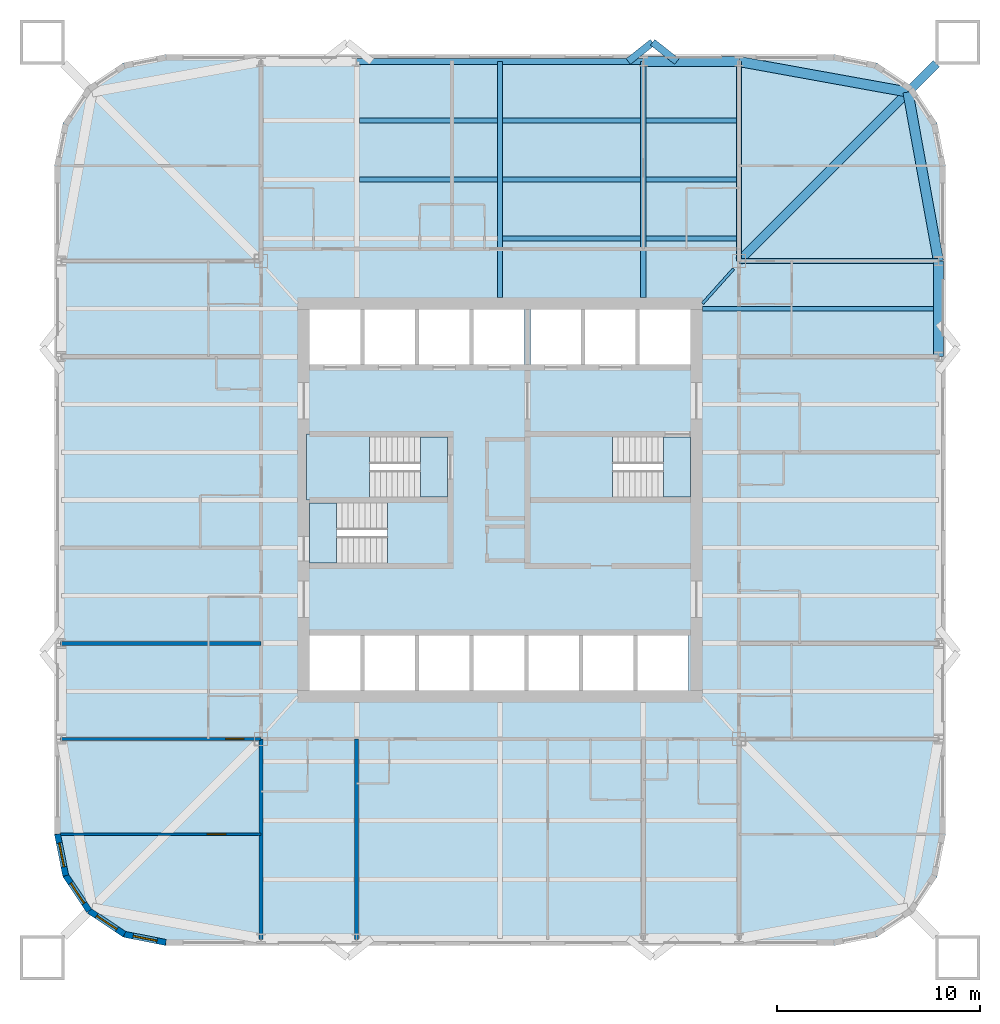
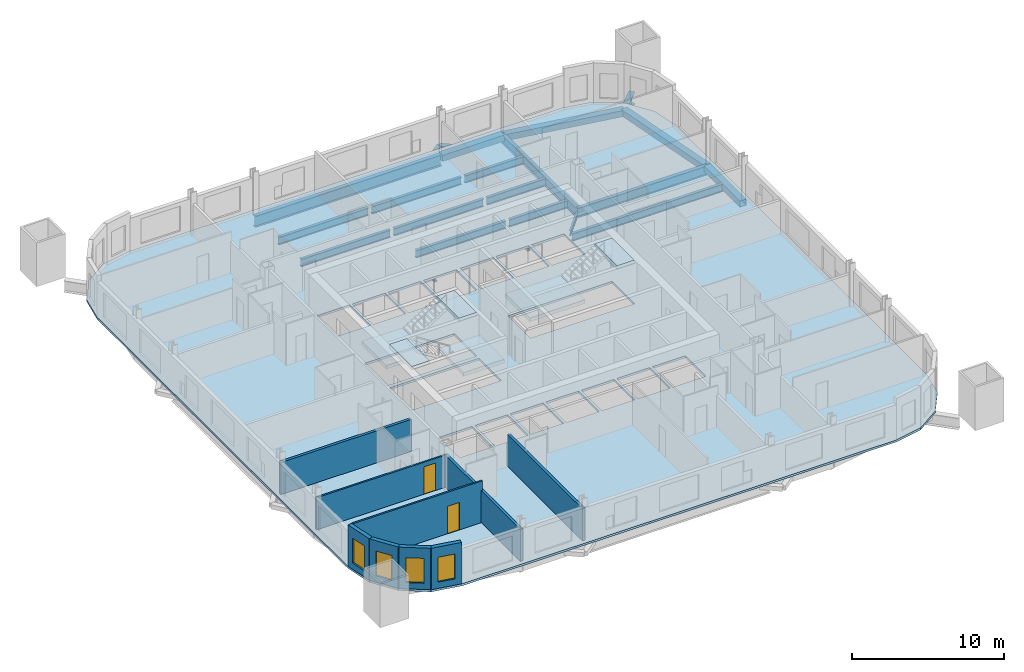
# One storey, part 2 of 10: 22 beams, 9 walls, 7 slabs, 4 windows, 2 doors, 6 openings, 3 elements without a shape of their own.
"""IFC4 building model written with IfcOpenShell, lengths in metres."""

from ifc_helpers import new_model, si_unit, direction, frame, frame_2d, origin, origin_2d, place, context, subcontext, project, spatial, polyline, rectangle, hollow_rectangle, i_section, outline, extrude, material, layer, layer_set, material_profile, profile_set, type_object, element, fill, aggregate, save


model = new_model("IFC4")

# Units and contexts
model_context = context("Model", 3, precision=1e-05, world=origin(), true_north=direction((0.0, 1.0)))
body_context = subcontext(model_context, "Body", "Model", "MODEL_VIEW")
ifc_project = project(units=[si_unit("LENGTHUNIT", "METRE"), si_unit("AREAUNIT", "SQUARE_METRE"), si_unit("VOLUMEUNIT", "CUBIC_METRE"), si_unit("PLANEANGLEUNIT", "RADIAN"), si_unit("MASSUNIT", "GRAM", prefix="KILO")], contexts=[model_context])

# Site, building, storey
site_placement = place(None, origin())
site = spatial("IfcSite", under=ifc_project, at=site_placement, CompositionType="ELEMENT")
building_placement = place(site_placement, origin())
building = spatial("IfcBuilding", under=site, at=building_placement, Name="Turquesa Mirador Hotel Tower", CompositionType="ELEMENT")
storey_placement = place(building_placement, frame((0.0, 0.0, 46.0)))
storey = spatial("IfcBuildingStorey", under=building, at=storey_placement, Name="L11", CompositionType="ELEMENT", Elevation=46.0)

# Beams
ifc_material_1 = material(Name="Steel ASTM A572 Grade 50", Category="steel")
ifc_material_profile_1 = material_profile(ifc_material_1, hollow_rectangle(XDim=0.5, YDim=0.5, WallThickness=0.01611328125, at=origin_2d()), Name="BOX500X500X16")
ifc_profile_set_1 = profile_set([ifc_material_profile_1], Name="Steel ASTM A572 Grade 50")
beam_type_1 = type_object("IfcBeamType", Name="BEAM BOX500X500X16", PredefinedType="BEAM", material=ifc_profile_set_1)
for number, where, z_axis, x_axis, name in (
    (1, (62.080078125, 66.64990234375, -0.419921875), (1.0, 0.0, 0.0), (0.0, 1.0, 0.0), "EB-L11-N-R"),
    (2, (76.64990234375, 52.080078125, -0.419921875), (0.0, 1.0, 0.0), (-1.0, 0.0, 0.0), "EB-L11-E-R"),
):
    element("IfcBeam", number, at=place(storey_placement, frame(where, z_axis=z_axis, x_axis=x_axis)), inside=storey, type_object=beam_type_1, Name=name, PredefinedType="BEAM", context=body_context, shape_type="SweptSolid", body=[
        extrude(hollow_rectangle(XDim=0.5, YDim=0.5, WallThickness=0.01611328125, at=origin_2d()), origin(), (0.0, 0.0, 1.0), 4.719970703125),
    ])
for number, where, z_axis, x_axis, name in (
    (3, (76.64990234375, 56.800048828125, -0.419921875), (-0.177932387818, 0.984042715214, 0.0), (-0.984042715214, -0.177932387818, 0.0), "KE-L11-1-0"),
    (4, (75.1416015625, 65.1416015625, -0.419921875), (-0.984042715214, 0.177932387818, 0.0), (-0.177932387818, -0.984042715214, 0.0), "KE-L11-1-1"),
):
    element("IfcBeam", number, at=place(storey_placement, frame(where, z_axis=z_axis, x_axis=x_axis)), inside=storey, type_object=beam_type_1, Name=name, PredefinedType="BEAM", context=body_context, shape_type="SweptSolid", body=[
        extrude(hollow_rectangle(XDim=0.5, YDim=0.5, WallThickness=0.01611328125, at=origin_2d()), origin(), (0.0, 0.0, 1.0), 8.476806640625),
    ])
ifc_material_2 = material(Name="Steel ASTM A992 Grade 50", Category="steel")
ifc_material_profile_2 = material_profile(ifc_material_2, i_section(OverallWidth=0.140380859375, OverallDepth=0.40380859375, WebThickness=0.007080078125, FlangeThickness=0.01123046875, at=origin_2d()), Name="W16X31")
ifc_profile_set_2 = profile_set([ifc_material_profile_2], Name="Steel ASTM A992 Grade 50")
beam_type_2 = type_object("IfcBeamType", Name="BEAM W16X31", PredefinedType="BEAM", material=ifc_profile_set_2)
beam_1_placement = place(storey_placement, frame((66.529541015625, 56.40966796875, -0.371826171875), z_axis=(-0.666745084392, -0.745285846129, 0.0), x_axis=(0.745285846129, -0.666745084392, 0.0)))
element("IfcBeam", 5, at=beam_1_placement, inside=storey, type_object=beam_type_2, Name="KT-L11-1", PredefinedType="BEAM", context=body_context, shape_type="SweptSolid", body=[
    extrude(i_section(OverallWidth=0.140380859375, OverallDepth=0.40380859375, WebThickness=0.007080078125, FlangeThickness=0.01123046875, at=origin_2d()), origin(), (0.0, 0.0, 1.0), 2.2939453125),
])
ifc_material_3 = material(Name="Steel ASTM A992 Grade 50", Category="steel")
ifc_material_profile_3 = material_profile(ifc_material_3, i_section(OverallWidth=0.228271484375, OverallDepth=0.607177734375, WebThickness=0.01123046875, FlangeThickness=0.017333984375, at=origin_2d()), Name="W24X76")
ifc_profile_set_3 = profile_set([ifc_material_profile_3], Name="Steel ASTM A992 Grade 50")
beam_type_3 = type_object("IfcBeamType", Name="BEAM W24X76", PredefinedType="BEAM", material=ifc_profile_set_3)
beam_2_placement = place(storey_placement, frame((55.13330078125, 57.912109375, -0.4736328125), z_axis=(1.0, 0.0, 0.0), x_axis=(0.0, 1.0, 0.0)))
element("IfcBeam", 6, at=beam_2_placement, inside=storey, type_object=beam_type_3, Name="IB-L11-N-1-2", PredefinedType="BEAM", context=body_context, shape_type="SweptSolid", body=[
    extrude(i_section(OverallWidth=0.228271484375, OverallDepth=0.607177734375, WebThickness=0.01123046875, FlangeThickness=0.017333984375, at=origin_2d()), origin(), (0.0, 0.0, 1.0), 6.813232421875),
])
beam_3_placement = place(storey_placement, frame((62.21337890625, 57.912109375, -0.4736328125), z_axis=(1.0, 0.0, 0.0), x_axis=(0.0, 1.0, 0.0)))
element("IfcBeam", 7, at=beam_3_placement, inside=storey, type_object=beam_type_3, Name="IB-L11-N-1-3", PredefinedType="BEAM", context=body_context, shape_type="SweptSolid", body=[
    extrude(i_section(OverallWidth=0.228271484375, OverallDepth=0.607177734375, WebThickness=0.01123046875, FlangeThickness=0.017333984375, at=origin_2d()), origin(), (0.0, 0.0, 1.0), 4.453369140625),
])
for number, where, z_axis, x_axis, name in (
    (8, (48.053466796875, 60.824951171875, -0.4736328125), (1.0, 0.0, 0.0), (0.0, 1.0, 0.0), "IB-L11-N-2-1"),
    (9, (55.13330078125, 60.824951171875, -0.4736328125), (1.0, 0.0, 0.0), (0.0, 1.0, 0.0), "IB-L11-N-2-2"),
):
    element("IfcBeam", number, at=place(storey_placement, frame(where, z_axis=z_axis, x_axis=x_axis)), inside=storey, type_object=beam_type_3, Name=name, PredefinedType="BEAM", context=body_context, shape_type="SweptSolid", body=[
        extrude(i_section(OverallWidth=0.228271484375, OverallDepth=0.607177734375, WebThickness=0.01123046875, FlangeThickness=0.017333984375, at=origin_2d()), origin(), (0.0, 0.0, 1.0), 6.813232421875),
    ])
beam_4_placement = place(storey_placement, frame((62.21337890625, 60.824951171875, -0.4736328125), z_axis=(1.0, 0.0, 0.0), x_axis=(0.0, 1.0, 0.0)))
element("IfcBeam", 10, at=beam_4_placement, inside=storey, type_object=beam_type_3, Name="IB-L11-N-2-3", PredefinedType="BEAM", context=body_context, shape_type="SweptSolid", body=[
    extrude(i_section(OverallWidth=0.228271484375, OverallDepth=0.607177734375, WebThickness=0.01123046875, FlangeThickness=0.017333984375, at=origin_2d()), origin(), (0.0, 0.0, 1.0), 4.453369140625),
])
for number, where, z_axis, x_axis, name in (
    (11, (48.053466796875, 63.737060546875, -0.4736328125), (1.0, 0.0, 0.0), (0.0, 1.0, 0.0), "IB-L11-N-3-1"),
    (12, (55.13330078125, 63.737060546875, -0.4736328125), (1.0, 0.0, 0.0), (0.0, 1.0, 0.0), "IB-L11-N-3-2"),
):
    element("IfcBeam", number, at=place(storey_placement, frame(where, z_axis=z_axis, x_axis=x_axis)), inside=storey, type_object=beam_type_3, Name=name, PredefinedType="BEAM", context=body_context, shape_type="SweptSolid", body=[
        extrude(i_section(OverallWidth=0.228271484375, OverallDepth=0.607177734375, WebThickness=0.01123046875, FlangeThickness=0.017333984375, at=origin_2d()), origin(), (0.0, 0.0, 1.0), 6.813232421875),
    ])
beam_5_placement = place(storey_placement, frame((62.21337890625, 63.737060546875, -0.4736328125), z_axis=(1.0, 0.0, 0.0), x_axis=(0.0, 1.0, 0.0)))
element("IfcBeam", 13, at=beam_5_placement, inside=storey, type_object=beam_type_3, Name="IB-L11-N-3-3", PredefinedType="BEAM", context=body_context, shape_type="SweptSolid", body=[
    extrude(i_section(OverallWidth=0.228271484375, OverallDepth=0.607177734375, WebThickness=0.01123046875, FlangeThickness=0.017333984375, at=origin_2d()), origin(), (0.0, 0.0, 1.0), 4.453369140625),
])
beam_6_placement = place(storey_placement, frame((76.64990234375, 54.43994140625, -0.4736328125), z_axis=(-1.0, 0.0, 0.0), x_axis=(0.0, -1.0, 0.0)))
element("IfcBeam", 14, at=beam_6_placement, inside=storey, type_object=beam_type_3, Name="BM-L11-E-+9.44", PredefinedType="BEAM", context=body_context, shape_type="SweptSolid", body=[
    extrude(i_section(OverallWidth=0.228271484375, OverallDepth=0.607177734375, WebThickness=0.01123046875, FlangeThickness=0.017333984375, at=origin_2d()), origin(), (0.0, 0.0, 1.0), 11.64990234375),
])
ifc_material_4 = material(Name="Steel ASTM A992 Grade 50", Category="steel")
ifc_material_profile_4 = material_profile(ifc_material_4, i_section(OverallWidth=0.2666015625, OverallDepth=0.7568359375, WebThickness=0.013916015625, FlangeThickness=0.019287109375, at=origin_2d()), Name="W30X108")
ifc_profile_set_4 = profile_set([ifc_material_profile_4], Name="Steel ASTM A992 Grade 50")
beam_type_4 = type_object("IfcBeamType", Name="BEAM W30X108", PredefinedType="BEAM", material=ifc_profile_set_4)
for number, where, z_axis, x_axis, name in (
    (15, (62.080078125, 66.64990234375, -0.54833984375), (0.0, -1.0, 0.0), (1.0, 0.0, 0.0), "GD-L11-N-+7.08"),
    (16, (55.0, 66.64990234375, -0.54833984375), (0.0, -1.0, 0.0), (1.0, 0.0, 0.0), "GD-L11-N-+0.00"),
):
    element("IfcBeam", number, at=place(storey_placement, frame(where, z_axis=z_axis, x_axis=x_axis)), inside=storey, type_object=beam_type_4, Name=name, PredefinedType="BEAM", context=body_context, shape_type="SweptSolid", body=[
        extrude(i_section(OverallWidth=0.2666015625, OverallDepth=0.7568359375, WebThickness=0.013916015625, FlangeThickness=0.019287109375, at=origin_2d()), origin(), (0.0, 0.0, 1.0), 11.64990234375),
    ])
for number, where, z_axis, x_axis, name in (
    (17, (66.800048828125, 66.64990234375, -0.54833984375), (0.0, -1.0, 0.0), (1.0, 0.0, 0.0), "GK-L11-N-+11.80"),
    (18, (76.64990234375, 56.800048828125, -0.54833984375), (-1.0, 0.0, 0.0), (0.0, -1.0, 0.0), "GK-L11-E-+11.80"),
):
    element("IfcBeam", number, at=place(storey_placement, frame(where, z_axis=z_axis, x_axis=x_axis)), inside=storey, type_object=beam_type_4, Name=name, PredefinedType="BEAM", context=body_context, shape_type="SweptSolid", body=[
        extrude(i_section(OverallWidth=0.2666015625, OverallDepth=0.7568359375, WebThickness=0.013916015625, FlangeThickness=0.019287109375, at=origin_2d()), origin(), (0.0, 0.0, 1.0), 9.849853515625),
    ])
ifc_material_5 = material(Name="Steel ASTM A992 Grade 50", Category="steel")
ifc_material_profile_5 = material_profile(ifc_material_5, i_section(OverallWidth=0.3046875, OverallDepth=0.911865234375, WebThickness=0.015869140625, FlangeThickness=0.02392578125, at=origin_2d()), Name="W36X150")
ifc_profile_set_5 = profile_set([ifc_material_profile_5], Name="Steel ASTM A992 Grade 50")
beam_type_5 = type_object("IfcBeamType", Name="BEAM W36X150", PredefinedType="BEAM", material=ifc_profile_set_5)
beam_7_placement = place(storey_placement, frame((47.919921875, 66.64990234375, -0.6259765625), z_axis=(1.0, 0.0, 0.0), x_axis=(0.0, 1.0, 0.0)))
element("IfcBeam", 19, at=beam_7_placement, inside=storey, type_object=beam_type_5, Name="EB-L11-N-C", PredefinedType="BEAM", context=body_context, shape_type="SweptSolid", body=[
    extrude(i_section(OverallWidth=0.3046875, OverallDepth=0.911865234375, WebThickness=0.015869140625, FlangeThickness=0.02392578125, at=origin_2d()), origin(), (0.0, 0.0, 1.0), 14.16015625),
])
ifc_material_6 = material(Name="Steel ASTM A992 Grade 50", Category="steel")
ifc_material_profile_6 = material_profile(ifc_material_6, i_section(OverallWidth=0.419189453125, OverallDepth=0.927001953125, WebThickness=0.019287109375, FlangeThickness=0.031982421875, at=origin_2d()), Name="W36X231")
ifc_profile_set_6 = profile_set([ifc_material_profile_6], Name="Steel ASTM A992 Grade 50")
beam_type_6 = type_object("IfcBeamType", Name="BEAM W36X231", PredefinedType="BEAM", material=ifc_profile_set_6)
beam_8_placement = place(storey_placement, frame((66.800048828125, 56.800048828125, -0.633544921875), z_axis=(0.707106781187, 0.707106781187, 0.0), x_axis=(-0.707106781187, 0.707106781187, 0.0)))
element("IfcBeam", 20, at=beam_8_placement, inside=storey, type_object=beam_type_6, Name="KD-L11-1", PredefinedType="BEAM", context=body_context, shape_type="SweptSolid", body=[
    extrude(i_section(OverallWidth=0.419189453125, OverallDepth=0.927001953125, WebThickness=0.019287109375, FlangeThickness=0.031982421875, at=origin_2d()), origin(), (0.0, 0.0, 1.0), 13.78857421875),
])
ifc_material_7 = material(Name="Steel ASTM A500 Grade C", Category="steel")
ifc_material_profile_7 = material_profile(ifc_material_7, hollow_rectangle(XDim=0.355712890625, YDim=0.355712890625, WallThickness=0.0146484375, at=origin_2d()), Name="HSS14X14X5/8")
ifc_profile_set_7 = profile_set([ifc_material_profile_7], Name="Steel ASTM A500 Grade C")
beam_type_7 = type_object("IfcBeamType", Name="BRACE STRUT HSS14X14X5/8", PredefinedType="BEAM", material=ifc_profile_set_7)
beam_9_placement = place(storey_placement, frame((62.533447265625, 67.60009765625, -0.347900390625), z_axis=(-0.784032888399, -0.620719284306, 0.0), x_axis=(0.620719284306, -0.784032888399, 0.0)))
element("IfcBeam", 21, at=beam_9_placement, inside=storey, type_object=beam_type_7, Name="Brace strut", PredefinedType="BEAM", context=body_context, shape_type="SweptSolid", body=[
    extrude(hollow_rectangle(XDim=0.355712890625, YDim=0.355712890625, WallThickness=0.0146484375, at=origin_2d()), origin(), (0.0, 0.0, 1.0), 1.53076171875),
])
beam_10_placement = place(storey_placement, frame((62.533447265625, 67.60009765625, -0.347900390625), z_axis=(0.783971428146, -0.620796907089, 0.0), x_axis=(0.620796907089, 0.783971428146, 0.0)))
element("IfcBeam", 22, at=beam_10_placement, inside=storey, type_object=beam_type_7, Name="Brace strut", PredefinedType="BEAM", context=body_context, shape_type="SweptSolid", body=[
    extrude(hollow_rectangle(XDim=0.355712890625, YDim=0.355712890625, WallThickness=0.0146484375, at=origin_2d()), origin(), (0.0, 0.0, 1.0), 1.530517578125),
])

# Slab
ifc_material_8 = material(Name="Concrete C28/35", Category="concrete")
ifc_layer_1 = layer(ifc_material_8, 0.169921875)
ifc_layer_set_1 = layer_set([ifc_layer_1], Name="COMPOSITE FLOOR SLAB 170")
slab_type_1 = type_object("IfcSlabType", Name="COMPOSITE FLOOR SLAB 170", PredefinedType="FLOOR", material=ifc_layer_set_1)
slab_1_placement = place(storey_placement, frame((0.0, 0.0, -0.169921875)))
element("IfcSlab", 23, at=slab_1_placement, inside=storey, type_object=slab_type_1, Name="Floor slab L11", PredefinedType="FLOOR", context=body_context, shape_type="SweptSolid", body=[
    extrude(outline(polyline([(71.5, 23.0), (73.604736328125, 23.418701171875), (75.38916015625, 24.61083984375), (76.581298828125, 26.395263671875), (77.0, 28.5), (77.0, 61.5), (76.581298828125, 63.604736328125), (75.38916015625, 65.38916015625), (73.604736328125, 66.581298828125), (71.5, 67.0), (38.5, 67.0), (36.395263671875, 66.581298828125), (34.61083984375, 65.38916015625), (33.418701171875, 63.604736328125), (33.0, 61.5), (33.0, 28.5), (33.418701171875, 26.395263671875), (34.61083984375, 24.61083984375), (36.395263671875, 23.418701171875), (38.5, 23.0), (71.5, 23.0)]), holes=[polyline([(45.60009765625, 51.699951171875), (48.10009765625, 51.699951171875), (48.10009765625, 54.39990234375), (45.60009765625, 54.39990234375), (45.60009765625, 51.699951171875)]), polyline([(48.300048828125, 51.699951171875), (50.800048828125, 51.699951171875), (50.800048828125, 54.39990234375), (48.300048828125, 54.39990234375), (48.300048828125, 51.699951171875)]), polyline([(51.0, 51.699951171875), (53.5, 51.699951171875), (53.5, 54.39990234375), (51.0, 54.39990234375), (51.0, 51.699951171875)]), polyline([(53.699951171875, 51.699951171875), (56.199951171875, 51.699951171875), (56.199951171875, 54.39990234375), (53.699951171875, 54.39990234375), (53.699951171875, 51.699951171875)]), polyline([(56.5, 51.699951171875), (59.0, 51.699951171875), (59.0, 54.39990234375), (56.5, 54.39990234375), (56.5, 51.699951171875)]), polyline([(59.199951171875, 51.699951171875), (61.699951171875, 51.699951171875), (61.699951171875, 54.39990234375), (59.199951171875, 54.39990234375), (59.199951171875, 51.699951171875)]), polyline([(45.60009765625, 35.60009765625), (48.10009765625, 35.60009765625), (48.10009765625, 38.300048828125), (45.60009765625, 38.300048828125), (45.60009765625, 35.60009765625)]), polyline([(48.300048828125, 35.60009765625), (50.800048828125, 35.60009765625), (50.800048828125, 38.300048828125), (48.300048828125, 38.300048828125), (48.300048828125, 35.60009765625)]), polyline([(51.0, 35.60009765625), (53.5, 35.60009765625), (53.5, 38.300048828125), (51.0, 38.300048828125), (51.0, 35.60009765625)]), polyline([(53.699951171875, 35.60009765625), (56.199951171875, 35.60009765625), (56.199951171875, 38.300048828125), (53.699951171875, 38.300048828125), (53.699951171875, 35.60009765625)]), polyline([(56.39990234375, 35.60009765625), (58.89990234375, 35.60009765625), (58.89990234375, 38.300048828125), (56.39990234375, 38.300048828125), (56.39990234375, 35.60009765625)]), polyline([(59.10009765625, 35.60009765625), (61.60009765625, 35.60009765625), (61.60009765625, 38.300048828125), (59.10009765625, 38.300048828125), (59.10009765625, 35.60009765625)]), polyline([(61.800048828125, 35.60009765625), (64.300048828125, 35.60009765625), (64.300048828125, 38.300048828125), (61.800048828125, 38.300048828125), (61.800048828125, 35.60009765625)]), polyline([(45.60009765625, 45.14990234375), (52.39990234375, 45.14990234375), (52.39990234375, 48.10009765625), (45.60009765625, 48.10009765625), (45.60009765625, 45.14990234375)]), polyline([(45.60009765625, 41.89990234375), (52.39990234375, 41.89990234375), (52.39990234375, 44.85009765625), (45.60009765625, 44.85009765625), (45.60009765625, 41.89990234375)]), polyline([(56.5, 45.14990234375), (64.39990234375, 45.14990234375), (64.39990234375, 48.10009765625), (56.5, 48.10009765625), (56.5, 45.14990234375)]), polyline([(61.89990234375, 51.699951171875), (64.39990234375, 51.699951171875), (64.39990234375, 54.39990234375), (61.89990234375, 54.39990234375), (61.89990234375, 51.699951171875)])]), origin(), (0.0, 0.0, 1.0), 0.169921875),
])

# Stair, slabs
ifc_material_9 = material(Name="Concrete C35/45", Category="concrete")
stair_type = type_object("IfcStairType", Name="ESCAPE STAIR CORE", PredefinedType="HALF_TURN_STAIR", material=ifc_material_9)
stair_1_placement = place(storey_placement, origin())
stair_1 = element("IfcStair", 24, at=stair_1_placement, inside=storey, type_object=stair_type, Name="Stair ST1 L11 to L12", PredefinedType="HALF_TURN_STAIR")
ifc_material_10 = material(Name="Concrete C35/45", Category="concrete")
ifc_layer_2 = layer(ifc_material_10, 0.300048828125)
ifc_layer_set_2 = layer_set([ifc_layer_2], Name="STAIR LANDING 300")
slab_type_2 = type_object("IfcSlabType", Name="STAIR LANDING 300", PredefinedType="LANDING", material=ifc_layer_set_2)
slab_2_placement = place(storey_placement, frame((0.0, 0.0, 1.449951171875)))
slab_2 = element("IfcSlab", 25, at=slab_2_placement, type_object=slab_type_2, Name="ST1 landing 1", PredefinedType="LANDING", context=body_context, shape_type="SweptSolid", body=[
    extrude(outline(polyline([(45.449951171875, 45.0), (48.550048828125, 45.0), (48.550048828125, 48.25), (45.449951171875, 48.25), (45.449951171875, 45.0)])), origin(), (0.0, 0.0, 1.0), 0.300048828125),
])
slab_3_placement = place(storey_placement, frame((0.0, 0.0, 3.199951171875)))
slab_3 = element("IfcSlab", 26, at=slab_3_placement, type_object=slab_type_2, Name="ST1 landing 2", PredefinedType="LANDING", context=body_context, shape_type="SweptSolid", body=[
    extrude(outline(polyline([(51.070068359375, 45.14990234375), (52.39990234375, 45.14990234375), (52.39990234375, 48.10009765625), (51.070068359375, 48.10009765625), (51.070068359375, 45.14990234375)])), origin(), (0.0, 0.0, 1.0), 0.300048828125),
])
aggregate(stair_1, [slab_2, slab_3])

stair_2_placement = place(storey_placement, origin())
stair_2 = element("IfcStair", 27, at=stair_2_placement, inside=storey, type_object=stair_type, Name="Stair ST2 L11 to L12", PredefinedType="HALF_TURN_STAIR")
slab_4_placement = place(storey_placement, frame((0.0, 0.0, 1.449951171875)))
slab_4 = element("IfcSlab", 28, at=slab_4_placement, type_object=slab_type_2, Name="ST2 landing 1", PredefinedType="LANDING", context=body_context, shape_type="SweptSolid", body=[
    extrude(outline(polyline([(52.550048828125, 45.0), (49.449951171875, 45.0), (49.449951171875, 41.75), (52.550048828125, 41.75), (52.550048828125, 45.0)])), origin(), (0.0, 0.0, 1.0), 0.300048828125),
])
slab_5_placement = place(storey_placement, frame((0.0, 0.0, 3.199951171875)))
slab_5 = element("IfcSlab", 29, at=slab_5_placement, type_object=slab_type_2, Name="ST2 landing 2", PredefinedType="LANDING", context=body_context, shape_type="SweptSolid", body=[
    extrude(outline(polyline([(46.929931640625, 44.85009765625), (45.60009765625, 44.85009765625), (45.60009765625, 41.89990234375), (46.929931640625, 41.89990234375), (46.929931640625, 44.85009765625)])), origin(), (0.0, 0.0, 1.0), 0.300048828125),
])
aggregate(stair_2, [slab_4, slab_5])

stair_3_placement = place(storey_placement, origin())
stair_3 = element("IfcStair", 30, at=stair_3_placement, inside=storey, type_object=stair_type, Name="Stair ST3 L11 to L12", PredefinedType="HALF_TURN_STAIR")
slab_6_placement = place(storey_placement, frame((0.0, 0.0, 1.449951171875)))
slab_6 = element("IfcSlab", 31, at=slab_6_placement, type_object=slab_type_2, Name="ST3 landing 1", PredefinedType="LANDING", context=body_context, shape_type="SweptSolid", body=[
    extrude(outline(polyline([(56.35009765625, 45.0), (60.550048828125, 45.0), (60.550048828125, 48.25), (56.35009765625, 48.25), (56.35009765625, 45.0)])), origin(), (0.0, 0.0, 1.0), 0.300048828125),
])
slab_7_placement = place(storey_placement, frame((0.0, 0.0, 3.199951171875)))
slab_7 = element("IfcSlab", 32, at=slab_7_placement, type_object=slab_type_2, Name="ST3 landing 2", PredefinedType="LANDING", context=body_context, shape_type="SweptSolid", body=[
    extrude(outline(polyline([(63.070068359375, 45.14990234375), (64.39990234375, 45.14990234375), (64.39990234375, 48.10009765625), (63.070068359375, 48.10009765625), (63.070068359375, 45.14990234375)])), origin(), (0.0, 0.0, 1.0), 0.300048828125),
])
aggregate(stair_3, [slab_6, slab_7])

# Wall, opening, window
ifc_material_11 = material(Name="Limestone cladding on concrete block", Category="masonry")
ifc_layer_3 = layer(ifc_material_11, 0.300048828125)
ifc_layer_set_3 = layer_set([ifc_layer_3], Name="FACADE WALL 300 STONE SCREEN")
wall_type_1 = type_object("IfcWallType", Name="FACADE WALL 300 STONE SCREEN", PredefinedType="SOLIDWALL", material=ifc_layer_set_3)
wall_1_placement = place(storey_placement, frame((33.14990234375, 28.5, 0.0), z_axis=(0.0, 0.0, 1.0), x_axis=(0.195081421501, -0.980787050784, 0.0)))
wall_1 = element("IfcWall", 33, at=wall_1_placement, inside=storey, type_object=wall_type_1, Name="Facade wall L11 15", PredefinedType="SOLIDWALL", context=body_context, shape_type="SweptSolid", body=[
    extrude(rectangle(XDim=2.08740234375, YDim=0.300048828125, at=frame_2d((1.043701171875, 0.0))), origin(), (0.0, 0.0, 1.0), 3.330078125),
])
opening_1_placement = place(wall_1_placement, frame((0.443603515625, 0.0, 0.5)))
opening_1 = element("IfcOpeningElement", 34, at=opening_1_placement, cuts=wall_1, Name="Opening WN4", PredefinedType="OPENING", context=body_context, shape_type="SweptSolid", body=[
    extrude(rectangle(XDim=1.199951171875, YDim=2.0, at=frame_2d((0.60009765625, 1.0))), frame((0.0, 0.159912109375, 0.0), z_axis=(0.0, -1.0, 0.0), x_axis=(1.0, 0.0, 0.0)), (0.0, 0.0, 1.0), 0.320068359375),
])
ifc_material_12 = material(Name="Ceramic-fritted laminated glass", Category="glass")
window_type = type_object("IfcWindowType", Name="FRITTED CORNER WINDOW 1200X2000", PartitioningType="DOUBLE_PANEL_HORIZONTAL", PredefinedType="WINDOW", material=ifc_material_12)
window_1_placement = place(opening_1_placement, origin())
window_1 = element("IfcWindow", 35, at=window_1_placement, inside=storey, type_object=window_type, Name="Window L11", OverallHeight=2.0, OverallWidth=1.199951171875, PartitioningType="SINGLE_PANEL", PredefinedType="WINDOW", context=body_context, shape_type="SweptSolid", body=[
    extrude(rectangle(XDim=1.199951171875, YDim=2.0, at=frame_2d((0.60009765625, 1.0))), frame((0.0, 0.030029296875, 0.0), z_axis=(0.0, -1.0, 0.0), x_axis=(1.0, 0.0, 0.0)), (0.0, 0.0, 1.0), 0.06005859375),
])
fill(opening_1, window_1)

wall_2_placement = place(storey_placement, frame((33.55712890625, 26.45263671875, 0.0), z_axis=(0.0, 0.0, 1.0), x_axis=(0.555644460423, -0.831420010345, 0.0)))
wall_2 = element("IfcWall", 36, at=wall_2_placement, inside=storey, type_object=wall_type_1, Name="Facade wall L11 16", PredefinedType="SOLIDWALL", context=body_context, shape_type="SweptSolid", body=[
    extrude(rectangle(XDim=2.08740234375, YDim=0.300048828125, at=frame_2d((1.043701171875, 0.0))), origin(), (0.0, 0.0, 1.0), 3.330078125),
])
opening_2_placement = place(wall_2_placement, frame((0.443603515625, 0.0, 0.5)))
opening_2 = element("IfcOpeningElement", 37, at=opening_2_placement, cuts=wall_2, Name="Opening WN4", PredefinedType="OPENING", context=body_context, shape_type="SweptSolid", body=[
    extrude(rectangle(XDim=1.199951171875, YDim=2.0, at=frame_2d((0.60009765625, 1.0))), frame((0.0, 0.159912109375, 0.0), z_axis=(0.0, -1.0, 0.0), x_axis=(1.0, 0.0, 0.0)), (0.0, 0.0, 1.0), 0.320068359375),
])
window_2_placement = place(opening_2_placement, origin())
window_2 = element("IfcWindow", 38, at=window_2_placement, inside=storey, type_object=window_type, Name="Window L11", OverallHeight=2.0, OverallWidth=1.199951171875, PartitioningType="SINGLE_PANEL", PredefinedType="WINDOW", context=body_context, shape_type="SweptSolid", body=[
    extrude(rectangle(XDim=1.199951171875, YDim=2.0, at=frame_2d((0.60009765625, 1.0))), frame((0.0, 0.030029296875, 0.0), z_axis=(0.0, -1.0, 0.0), x_axis=(1.0, 0.0, 0.0)), (0.0, 0.0, 1.0), 0.06005859375),
])
fill(opening_2, window_2)

wall_3_placement = place(storey_placement, frame((34.717041015625, 24.717041015625, 0.0), z_axis=(0.0, 0.0, 1.0), x_axis=(0.831420010345, -0.555644460423, 0.0)))
wall_3 = element("IfcWall", 39, at=wall_3_placement, inside=storey, type_object=wall_type_1, Name="Facade wall L11 17", PredefinedType="SOLIDWALL", context=body_context, shape_type="SweptSolid", body=[
    extrude(rectangle(XDim=2.08740234375, YDim=0.300048828125, at=frame_2d((1.043701171875, 0.0))), origin(), (0.0, 0.0, 1.0), 3.330078125),
])
opening_3_placement = place(wall_3_placement, frame((0.443603515625, 0.0, 0.5)))
opening_3 = element("IfcOpeningElement", 40, at=opening_3_placement, cuts=wall_3, Name="Opening WN4", PredefinedType="OPENING", context=body_context, shape_type="SweptSolid", body=[
    extrude(rectangle(XDim=1.199951171875, YDim=2.0, at=frame_2d((0.60009765625, 1.0))), frame((0.0, 0.159912109375, 0.0), z_axis=(0.0, -1.0, 0.0), x_axis=(1.0, 0.0, 0.0)), (0.0, 0.0, 1.0), 0.320068359375),
])
window_3_placement = place(opening_3_placement, origin())
window_3 = element("IfcWindow", 41, at=window_3_placement, inside=storey, type_object=window_type, Name="Window L11", OverallHeight=2.0, OverallWidth=1.199951171875, PartitioningType="SINGLE_PANEL", PredefinedType="WINDOW", context=body_context, shape_type="SweptSolid", body=[
    extrude(rectangle(XDim=1.199951171875, YDim=2.0, at=frame_2d((0.60009765625, 1.0))), frame((0.0, 0.030029296875, 0.0), z_axis=(0.0, -1.0, 0.0), x_axis=(1.0, 0.0, 0.0)), (0.0, 0.0, 1.0), 0.06005859375),
])
fill(opening_3, window_3)

wall_4_placement = place(storey_placement, frame((36.45263671875, 23.55712890625, 0.0), z_axis=(0.0, 0.0, 1.0), x_axis=(0.980787050784, -0.195081421501, 0.0)))
wall_4 = element("IfcWall", 42, at=wall_4_placement, inside=storey, type_object=wall_type_1, Name="Facade wall L11 18", PredefinedType="SOLIDWALL", context=body_context, shape_type="SweptSolid", body=[
    extrude(rectangle(XDim=2.08740234375, YDim=0.300048828125, at=frame_2d((1.043701171875, 0.0))), origin(), (0.0, 0.0, 1.0), 3.330078125),
])
opening_4_placement = place(wall_4_placement, frame((0.443603515625, 0.0, 0.5)))
opening_4 = element("IfcOpeningElement", 43, at=opening_4_placement, cuts=wall_4, Name="Opening WN4", PredefinedType="OPENING", context=body_context, shape_type="SweptSolid", body=[
    extrude(rectangle(XDim=1.199951171875, YDim=2.0, at=frame_2d((0.60009765625, 1.0))), frame((0.0, 0.159912109375, 0.0), z_axis=(0.0, -1.0, 0.0), x_axis=(1.0, 0.0, 0.0)), (0.0, 0.0, 1.0), 0.320068359375),
])
window_4_placement = place(opening_4_placement, origin())
window_4 = element("IfcWindow", 44, at=window_4_placement, inside=storey, type_object=window_type, Name="Window L11", OverallHeight=2.0, OverallWidth=1.199951171875, PartitioningType="SINGLE_PANEL", PredefinedType="WINDOW", context=body_context, shape_type="SweptSolid", body=[
    extrude(rectangle(XDim=1.199951171875, YDim=2.0, at=frame_2d((0.60009765625, 1.0))), frame((0.0, 0.030029296875, 0.0), z_axis=(0.0, -1.0, 0.0), x_axis=(1.0, 0.0, 0.0)), (0.0, 0.0, 1.0), 0.06005859375),
])
fill(opening_4, window_4)

# Walls
ifc_material_13 = material(Name="Fire-rated gypsum board on steel studs", Category="steel")
ifc_layer_4 = layer(ifc_material_13, 0.199951171875)
ifc_layer_set_4 = layer_set([ifc_layer_4], Name="PARTY WALL 200")
wall_type_2 = type_object("IfcWallType", Name="PARTY WALL 200", PredefinedType="PARTITIONING", material=ifc_layer_set_4)
for number, where, z_axis, x_axis, name in (
    (45, (33.300048828125, 37.919921875, 0.0), (0.0, 0.0, 1.0), (1.0, 0.0, 0.0), "Partition L11 014"),
    (46, (43.199951171875, 23.300048828125, 0.0), (0.0, 0.0, 1.0), (0.0, 1.0, 0.0), "Partition L11 038"),
    (47, (47.919921875, 23.300048828125, 0.0), (0.0, 0.0, 1.0), (0.0, 1.0, 0.0), "Partition L11 049"),
):
    element("IfcWall", number, at=place(storey_placement, frame(where, z_axis=z_axis, x_axis=x_axis)), inside=storey, type_object=wall_type_2, Name=name, PredefinedType="PARTITIONING", context=body_context, shape_type="SweptSolid", body=[
        extrude(rectangle(XDim=9.89990234375, YDim=0.199951171875, at=frame_2d((4.949951171875, 0.0))), origin(), (0.0, 0.0, 1.0), 2.572998046875),
    ])

# Wall, opening, door
ifc_material_14 = material(Name="Acoustic gypsum board on steel studs", Category="steel")
ifc_layer_5 = layer(ifc_material_14, 0.125)
ifc_layer_set_5 = layer_set([ifc_layer_5], Name="SUITE PARTITION 125")
wall_type_3 = type_object("IfcWallType", Name="SUITE PARTITION 125", PredefinedType="PARTITIONING", material=ifc_layer_set_5)
wall_5_placement = place(storey_placement, frame((33.300048828125, 33.199951171875, 0.0), z_axis=(0.0, 0.0, 1.0), x_axis=(1.0, 0.0, 0.0)))
wall_5 = element("IfcWall", 48, at=wall_5_placement, inside=storey, type_object=wall_type_3, Name="Partition L11 002", PredefinedType="PARTITIONING", context=body_context, shape_type="SweptSolid", body=[
    extrude(rectangle(XDim=9.89990234375, YDim=0.125, at=frame_2d((4.949951171875, 0.0))), origin(), (0.0, 0.0, 1.0), 2.572998046875),
])
opening_5_placement = place(wall_5_placement, frame((8.14990234375, 0.0, 0.0)))
opening_5 = element("IfcOpeningElement", 49, at=opening_5_placement, cuts=wall_5, Name="Opening D17", PredefinedType="OPENING", context=body_context, shape_type="SweptSolid", body=[
    extrude(rectangle(XDim=0.89990234375, YDim=2.199951171875, at=frame_2d((0.449951171875, 1.10009765625))), frame((0.0, 0.072509765625, 0.0), z_axis=(0.0, -1.0, 0.0), x_axis=(1.0, 0.0, 0.0)), (0.0, 0.0, 1.0), 0.14501953125),
])
ifc_material_15 = material(Name="Timber veneered door", Category="wood")
door_type = type_object("IfcDoorType", Name="DOOR 900X2200 SUITE INTERNAL", OperationType="SINGLE_SWING_LEFT", PredefinedType="DOOR", material=ifc_material_15)
door_1_placement = place(opening_5_placement, origin())
door_1 = element("IfcDoor", 50, at=door_1_placement, inside=storey, type_object=door_type, Name="Door 1112", OperationType="SINGLE_SWING_LEFT", OverallHeight=2.199951171875, OverallWidth=0.89990234375, PredefinedType="DOOR", context=body_context, shape_type="SweptSolid", body=[
    extrude(rectangle(XDim=0.89990234375, YDim=2.199951171875, at=frame_2d((0.449951171875, 1.10009765625))), frame((0.0, 0.02490234375, 0.0), z_axis=(0.0, -1.0, 0.0), x_axis=(1.0, 0.0, 0.0)), (0.0, 0.0, 1.0), 0.050048828125),
])
fill(opening_5, door_1)

wall_6_placement = place(storey_placement, frame((33.305908203125, 28.5, 0.0), z_axis=(0.0, 0.0, 1.0), x_axis=(1.0, 0.0, 0.0)))
wall_6 = element("IfcWall", 51, at=wall_6_placement, inside=storey, type_object=wall_type_3, Name="Partition L11 009", PredefinedType="PARTITIONING", context=body_context, shape_type="SweptSolid", body=[
    extrude(rectangle(XDim=9.89404296875, YDim=0.125, at=frame_2d((4.947021484375, 0.0))), origin(), (0.0, 0.0, 1.0), 3.330078125),
])
opening_6_placement = place(wall_6_placement, frame((7.244140625, 0.0, 0.0)))
opening_6 = element("IfcOpeningElement", 52, at=opening_6_placement, cuts=wall_6, Name="Opening D17", PredefinedType="OPENING", context=body_context, shape_type="SweptSolid", body=[
    extrude(rectangle(XDim=0.89990234375, YDim=2.199951171875, at=frame_2d((0.449951171875, 1.10009765625))), frame((0.0, 0.072509765625, 0.0), z_axis=(0.0, -1.0, 0.0), x_axis=(1.0, 0.0, 0.0)), (0.0, 0.0, 1.0), 0.14501953125),
])
door_2_placement = place(opening_6_placement, origin())
door_2 = element("IfcDoor", 53, at=door_2_placement, inside=storey, type_object=door_type, Name="Door 1112M", OperationType="SINGLE_SWING_LEFT", OverallHeight=2.199951171875, OverallWidth=0.89990234375, PredefinedType="DOOR", context=body_context, shape_type="SweptSolid", body=[
    extrude(rectangle(XDim=0.89990234375, YDim=2.199951171875, at=frame_2d((0.449951171875, 1.10009765625))), frame((0.0, 0.02490234375, 0.0), z_axis=(0.0, -1.0, 0.0), x_axis=(1.0, 0.0, 0.0)), (0.0, 0.0, 1.0), 0.050048828125),
])
fill(opening_6, door_2)

save(model, "model.ifc")
